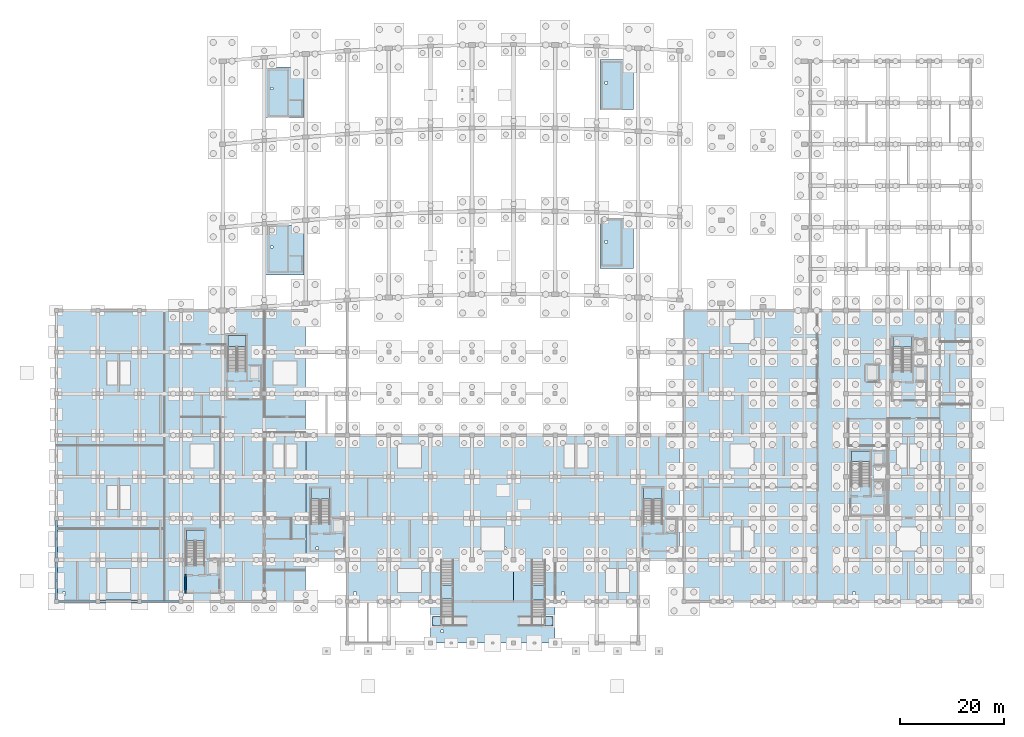
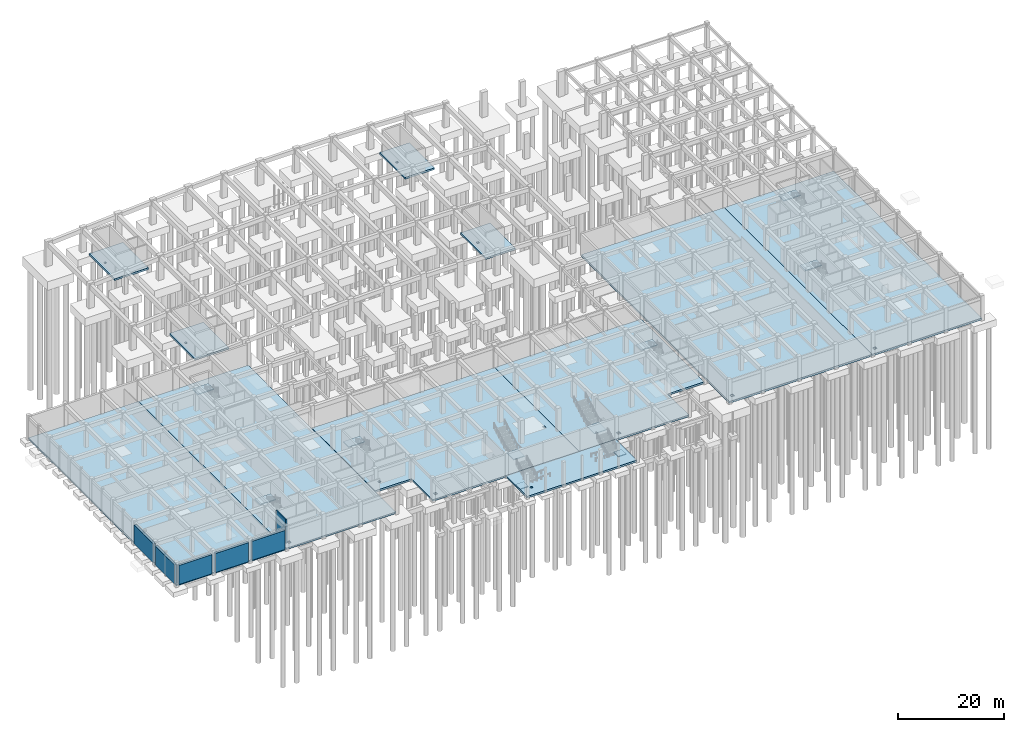
# One storey, part 24 of 45: 21 slabs, 6 walls, 10 elements without a shape of their own.
"""IFC4 building model written with IfcOpenShell, lengths in metres."""

from ifc_helpers import new_model, si_unit, direction, frame, frame_2d, origin, place, context, subcontext, project, spatial, polyline, rectangle, outline, extrude, material, layer, layer_set, type_object, element, aggregate, save


model = new_model("IFC4")

# Units and contexts
model_context = context("Model", 3, precision=1e-05, world=origin(), true_north=direction((0.0, 1.0)))
body_context = subcontext(model_context, "Body", "Model", "MODEL_VIEW")
ifc_project = project(units=[si_unit("LENGTHUNIT", "METRE"), si_unit("AREAUNIT", "SQUARE_METRE"), si_unit("VOLUMEUNIT", "CUBIC_METRE"), si_unit("PLANEANGLEUNIT", "RADIAN"), si_unit("MASSUNIT", "GRAM", prefix="KILO")], contexts=[model_context])

# Site, building, storey
site_placement = place(None, origin())
site = spatial("IfcSite", under=ifc_project, at=site_placement, CompositionType="ELEMENT")
building_placement = place(site_placement, origin())
building = spatial("IfcBuilding", under=site, at=building_placement, Name="Kenh Van Central Station", CompositionType="ELEMENT")
storey_placement = place(building_placement, frame((0.0, 0.0, -5.39990234375)))
storey = spatial("IfcBuildingStorey", under=building, at=storey_placement, Name="B1", CompositionType="ELEMENT", Elevation=-5.39990234375)

# Slabs
ifc_material_1 = material(Name="Concrete C40/50", Category="concrete")
ifc_layer_1 = layer(ifc_material_1, 0.360107421875, Name="Concrete C40/50")
ifc_layer_set_1 = layer_set([ifc_layer_1], Name="Concrete C40/50")
slab_type_1 = type_object("IfcSlabType", Name="SLB-BASE-360", PredefinedType="BASESLAB", material=ifc_layer_set_1)
slab_1_placement = place(storey_placement, frame((0.0, 0.0, -0.360107421875)))
element("IfcSlab", 1, at=slab_1_placement, inside=storey, type_object=slab_type_1, Name="B1 slab SLB-B1-W1", PredefinedType="BASESLAB", context=body_context, shape_type="SweptSolid", body=[
    extrude(outline(polyline([(0.0, 8.0), (24.0, 8.0), (24.0, 64.0), (0.0, 64.0), (0.0, 8.0)]), holes=[polyline([(1.199951171875, 9.199951171875), (1.199951171875, 9.800048828125), (1.800048828125, 9.800048828125), (1.800048828125, 9.199951171875), (1.199951171875, 9.199951171875)])]), origin(), (0.0, 0.0, 1.0), 0.360107421875),
])
slab_2_placement = place(storey_placement, frame((0.0, 0.0, -0.360107421875)))
element("IfcSlab", 2, at=slab_2_placement, inside=storey, type_object=slab_type_1, Name="B1 slab SLB-B1-W2", PredefinedType="BASESLAB", context=body_context, shape_type="SweptSolid", body=[
    extrude(outline(polyline([(24.0, 8.0), (47.96240234375, 8.0), (47.96240234375, 64.0), (24.0, 64.0), (24.0, 8.0)]), holes=[polyline([(25.800048828125, 9.199951171875), (25.199951171875, 9.199951171875), (25.199951171875, 9.800048828125), (25.800048828125, 9.800048828125), (25.800048828125, 9.199951171875)])]), origin(), (0.0, 0.0, 1.0), 0.360107421875),
])
ifc_layer_2 = layer(ifc_material_1, 0.39990234375, Name="Concrete C40/50")
ifc_layer_set_2 = layer_set([ifc_layer_2], Name="Concrete C40/50")
slab_type_2 = type_object("IfcSlabType", Name="SLB-BASE-400", PredefinedType="BASESLAB", material=ifc_layer_set_2)
slab_3_placement = place(storey_placement, frame((0.0, 0.0, -0.400146484375)))
element("IfcSlab", 3, at=slab_3_placement, inside=storey, type_object=slab_type_2, Name="B1 slab SLB-B1-C1", PredefinedType="BASESLAB", context=body_context, shape_type="SweptSolid", body=[
    extrude(outline(polyline([(48.03759765625, 16.0), (56.0, 16.0), (56.0, 8.0), (88.0, 8.0), (88.0, 40.0), (48.03759765625, 40.0), (48.03759765625, 16.0)]), holes=[polyline([(86.0, 18.0), (86.0, 18.5), (86.5, 18.5), (86.5, 18.0), (86.0, 18.0)]), polyline([(57.199951171875, 9.199951171875), (57.199951171875, 9.800048828125), (57.800048828125, 9.800048828125), (57.800048828125, 9.199951171875), (57.199951171875, 9.199951171875)]), polyline([(50.5, 18.0), (50.0, 18.0), (50.0, 18.5), (50.5, 18.5), (50.5, 18.0)])]), origin(), (0.0, 0.0, 1.0), 0.400146484375),
])
slab_4_placement = place(storey_placement, frame((0.0, 0.0, -0.400146484375)))
element("IfcSlab", 4, at=slab_4_placement, inside=storey, type_object=slab_type_2, Name="B1 slab SLB-B1-C2", PredefinedType="BASESLAB", context=body_context, shape_type="SweptSolid", body=[
    extrude(outline(polyline([(88.0, 8.0), (112.0, 8.0), (112.0, 16.0), (119.96240234375, 16.0), (119.96240234375, 40.0), (88.0, 40.0), (88.0, 8.0)]), holes=[polyline([(97.199951171875, 9.199951171875), (97.199951171875, 9.800048828125), (97.800048828125, 9.800048828125), (97.800048828125, 9.199951171875), (97.199951171875, 9.199951171875)])]), origin(), (0.0, 0.0, 1.0), 0.400146484375),
])
slab_5_placement = place(storey_placement, frame((0.0, 0.0, -0.400146484375)))
element("IfcSlab", 5, at=slab_5_placement, inside=storey, type_object=slab_type_2, Name="B1 slab SLB-B1-PLZ", PredefinedType="BASESLAB", context=body_context, shape_type="SweptSolid", body=[
    extrude(outline(polyline([(72.0, 0.0), (96.0, 0.0), (96.0, 8.0), (72.0, 8.0), (72.0, 0.0)]), holes=[polyline([(74.0, 2.0), (74.0, 2.5), (74.5, 2.5), (74.5, 2.0), (74.0, 2.0)])]), origin(), (0.0, 0.0, 1.0), 0.400146484375),
])
slab_6_placement = place(storey_placement, frame((0.0, 0.0, -0.400146484375)))
element("IfcSlab", 6, at=slab_6_placement, inside=storey, type_object=slab_type_2, Name="B1 slab SLB-B1-PC5", PredefinedType="BASESLAB", context=body_context, shape_type="SweptSolid", body=[
    extrude(outline(polyline([(40.300048828125, 70.800048828125), (47.699951171875, 70.800048828125), (47.699951171875, 80.5), (40.300048828125, 80.5), (40.300048828125, 70.800048828125)]), holes=[polyline([(41.64990234375, 76.0), (41.199951171875, 76.0), (41.199951171875, 76.449951171875), (41.64990234375, 76.449951171875), (41.64990234375, 76.0)])]), origin(), (0.0, 0.0, 1.0), 0.400146484375),
])
slab_7_placement = place(storey_placement, frame((0.0, 0.0, -0.400146484375)))
element("IfcSlab", 7, at=slab_7_placement, inside=storey, type_object=slab_type_2, Name="B1 slab SLB-B1-PC6", PredefinedType="BASESLAB", context=body_context, shape_type="SweptSolid", body=[
    extrude(outline(polyline([(104.60009765625, 72.10009765625), (111.10009765625, 72.10009765625), (111.10009765625, 81.699951171875), (104.60009765625, 81.699951171875), (104.60009765625, 72.10009765625)]), holes=[polyline([(106.050048828125, 77.0), (105.60009765625, 77.0), (105.60009765625, 77.449951171875), (106.050048828125, 77.449951171875), (106.050048828125, 77.0)])]), origin(), (0.0, 0.0, 1.0), 0.400146484375),
])
slab_8_placement = place(storey_placement, frame((0.0, 0.0, -0.400146484375)))
element("IfcSlab", 8, at=slab_8_placement, inside=storey, type_object=slab_type_2, Name="B1 slab SLB-B1-PC7", PredefinedType="BASESLAB", context=body_context, shape_type="SweptSolid", body=[
    extrude(outline(polyline([(40.300048828125, 101.199951171875), (47.699951171875, 101.199951171875), (47.699951171875, 110.89990234375), (40.300048828125, 110.89990234375), (40.300048828125, 101.199951171875)]), holes=[polyline([(41.64990234375, 106.5), (41.199951171875, 106.5), (41.199951171875, 106.949951171875), (41.64990234375, 106.949951171875), (41.64990234375, 106.5)])]), origin(), (0.0, 0.0, 1.0), 0.400146484375),
])
slab_9_placement = place(storey_placement, frame((0.0, 0.0, -0.400146484375)))
element("IfcSlab", 9, at=slab_9_placement, inside=storey, type_object=slab_type_2, Name="B1 slab SLB-B1-PC8", PredefinedType="BASESLAB", context=body_context, shape_type="SweptSolid", body=[
    extrude(outline(polyline([(104.60009765625, 102.699951171875), (111.10009765625, 102.699951171875), (111.10009765625, 112.300048828125), (104.60009765625, 112.300048828125), (104.60009765625, 102.699951171875)]), holes=[polyline([(106.050048828125, 107.60009765625), (105.60009765625, 107.60009765625), (105.60009765625, 108.050048828125), (106.050048828125, 108.050048828125), (106.050048828125, 107.60009765625)])]), origin(), (0.0, 0.0, 1.0), 0.400146484375),
])
ifc_layer_3 = layer(ifc_material_1, 0.449951171875, Name="Concrete C40/50")
ifc_layer_set_3 = layer_set([ifc_layer_3], Name="Concrete C40/50")
slab_type_3 = type_object("IfcSlabType", Name="SLB-BASE-450", PredefinedType="BASESLAB", material=ifc_layer_set_3)
slab_10_placement = place(storey_placement, frame((0.0, 0.0, -0.4501953125)))
element("IfcSlab", 10, at=slab_10_placement, inside=storey, type_object=slab_type_3, Name="B1 slab SLB-B1-E1", PredefinedType="BASESLAB", context=body_context, shape_type="SweptSolid", body=[
    extrude(outline(polyline([(120.800048828125, 8.0), (152.0, 8.0), (152.0, 64.0), (120.800048828125, 64.0), (120.800048828125, 8.0)]), holes=[polyline([(122.0, 9.199951171875), (122.0, 9.800048828125), (122.60009765625, 9.800048828125), (122.60009765625, 9.199951171875), (122.0, 9.199951171875)])]), origin(), (0.0, 0.0, 1.0), 0.4501953125),
])
slab_11_placement = place(storey_placement, frame((0.0, 0.0, -0.4501953125)))
element("IfcSlab", 11, at=slab_11_placement, inside=storey, type_object=slab_type_3, Name="B1 slab SLB-B1-E2", PredefinedType="BASESLAB", context=body_context, shape_type="SweptSolid", body=[
    extrude(outline(polyline([(152.0, 8.0), (176.0, 8.0), (176.0, 64.0), (152.0, 64.0), (152.0, 8.0)]), holes=[polyline([(153.800048828125, 9.199951171875), (153.199951171875, 9.199951171875), (153.199951171875, 9.800048828125), (153.800048828125, 9.800048828125), (153.800048828125, 9.199951171875)])]), origin(), (0.0, 0.0, 1.0), 0.4501953125),
])

# Ramp, slab
ramp_type = type_object("IfcRampType", Name="RMP-ACC-1800", PredefinedType="STRAIGHT_RUN_RAMP", material=ifc_material_1)
ramp_1_placement = place(storey_placement, origin())
ramp_1 = element("IfcRamp", 12, at=ramp_1_placement, inside=storey, type_object=ramp_type, Name="Sunken Metro Plaza West Garden Ramp", PredefinedType="STRAIGHT_RUN_RAMP")
ifc_layer_4 = layer(ifc_material_1, 0.175048828125, Name="Concrete C40/50")
ifc_layer_set_4 = layer_set([ifc_layer_4], Name="Concrete C40/50")
slab_type_4 = type_object("IfcSlabType", Name="SLB-LAND-175", PredefinedType="LANDING", material=ifc_layer_set_4)
slab_12_placement = place(storey_placement, frame((0.0, 0.0, -0.5751953125)))
slab_12 = element("IfcSlab", 13, at=slab_12_placement, type_object=slab_type_4, Name="Sunken Metro Plaza West Garden Ramp bottom landing", PredefinedType="LANDING", context=body_context, shape_type="SweptSolid", body=[
    extrude(outline(polyline([(72.39990234375, 3.300048828125), (74.199951171875, 3.300048828125), (74.199951171875, 5.10009765625), (72.39990234375, 5.10009765625), (72.39990234375, 3.300048828125)])), origin(), (0.0, 0.0, 1.0), 0.175048828125),
])
aggregate(ramp_1, [slab_12])

ramp_2_placement = place(storey_placement, origin())
ramp_2 = element("IfcRamp", 14, at=ramp_2_placement, inside=storey, type_object=ramp_type, Name="Sunken Metro Plaza East Garden Ramp", PredefinedType="STRAIGHT_RUN_RAMP")
slab_13_placement = place(storey_placement, frame((0.0, 0.0, -0.5751953125)))
slab_13 = element("IfcSlab", 15, at=slab_13_placement, type_object=slab_type_4, Name="Sunken Metro Plaza East Garden Ramp bottom landing", PredefinedType="LANDING", context=body_context, shape_type="SweptSolid", body=[
    extrude(outline(polyline([(95.60009765625, 5.10009765625), (93.800048828125, 5.10009765625), (93.800048828125, 3.300048828125), (95.60009765625, 3.300048828125), (95.60009765625, 5.10009765625)])), origin(), (0.0, 0.0, 1.0), 0.175048828125),
])
aggregate(ramp_2, [slab_13])

# Stair, slab
stair_type_1 = type_object("IfcStairType", Name="STR-PUB-2400", PredefinedType="STRAIGHT_RUN_STAIR", material=ifc_material_1)
stair_1_placement = place(storey_placement, origin())
stair_1 = element("IfcStair", 16, at=stair_1_placement, inside=storey, type_object=stair_type_1, Name="Metro Forecourt West Amphitheatre Stair", PredefinedType="STRAIGHT_RUN_STAIR")
ifc_layer_5 = layer(ifc_material_1, 0.179931640625, Name="Concrete C40/50")
ifc_layer_set_5 = layer_set([ifc_layer_5], Name="Concrete C40/50")
slab_type_5 = type_object("IfcSlabType", Name="SLB-LAND-180", PredefinedType="LANDING", material=ifc_layer_set_5)
slab_14_placement = place(storey_placement, frame((0.0, 0.0, 2.52001953125)))
slab_14 = element("IfcSlab", 17, at=slab_14_placement, type_object=slab_type_5, Name="ST-P1 landing 1", PredefinedType="LANDING", context=body_context, shape_type="SweptSolid", body=[
    extrude(outline(polyline([(76.39990234375, 8.5), (76.39990234375, 11.199951171875), (74.0, 11.199951171875), (74.0, 8.5), (76.39990234375, 8.5)])), origin(), (0.0, 0.0, 1.0), 0.179931640625),
])
aggregate(stair_1, [slab_14])

stair_type_2 = type_object("IfcStairType", Name="STR-PUB-2600", PredefinedType="STRAIGHT_RUN_STAIR", material=ifc_material_1)
stair_2_placement = place(storey_placement, origin())
stair_2 = element("IfcStair", 18, at=stair_2_placement, inside=storey, type_object=stair_type_2, Name="Metro Forecourt East Amphitheatre Stair", PredefinedType="STRAIGHT_RUN_STAIR")
slab_15_placement = place(storey_placement, frame((0.0, 0.0, 2.52001953125)))
slab_15 = element("IfcSlab", 19, at=slab_15_placement, type_object=slab_type_5, Name="ST-P2 landing 1", PredefinedType="LANDING", context=body_context, shape_type="SweptSolid", body=[
    extrude(outline(polyline([(94.10009765625, 8.300048828125), (94.10009765625, 11.199951171875), (91.5, 11.199951171875), (91.5, 8.300048828125), (94.10009765625, 8.300048828125)])), origin(), (0.0, 0.0, 1.0), 0.179931640625),
])
aggregate(stair_2, [slab_15])

ifc_material_2 = material(Name="Concrete C35/45", Category="concrete")
stair_type_3 = type_object("IfcStairType", Name="STR-DLG-1650", PredefinedType="HALF_TURN_STAIR", material=ifc_material_2)
stair_3_placement = place(storey_placement, origin())
stair_3 = element("IfcStair", 20, at=stair_3_placement, inside=storey, type_object=stair_type_3, Name="B1 West Retail South Exit Core", PredefinedType="HALF_TURN_STAIR")
ifc_layer_6 = layer(ifc_material_2, 0.199951171875, Name="Concrete C35/45")
ifc_layer_set_6 = layer_set([ifc_layer_6], Name="Concrete C35/45")
slab_type_6 = type_object("IfcSlabType", Name="SLB-LAND-200", PredefinedType="LANDING", material=ifc_layer_set_6)
slab_16_placement = place(storey_placement, frame((0.0, 0.0, 2.5)))
slab_16 = element("IfcSlab", 21, at=slab_16_placement, type_object=slab_type_6, Name="ST-01 landing 1", PredefinedType="LANDING", context=body_context, shape_type="SweptSolid", body=[
    extrude(outline(polyline([(28.5, 19.64990234375), (28.5, 21.800048828125), (25.0, 21.800048828125), (25.0, 19.64990234375), (28.5, 19.64990234375)])), origin(), (0.0, 0.0, 1.0), 0.199951171875),
])
aggregate(stair_3, [slab_16])

stair_4_placement = place(storey_placement, origin())
stair_4 = element("IfcStair", 22, at=stair_4_placement, inside=storey, type_object=stair_type_3, Name="B1 West Retail North Exit Core", PredefinedType="HALF_TURN_STAIR")
slab_17_placement = place(storey_placement, frame((0.0, 0.0, 2.5)))
slab_17 = element("IfcSlab", 23, at=slab_17_placement, type_object=slab_type_6, Name="ST-02 landing 1", PredefinedType="LANDING", context=body_context, shape_type="SweptSolid", body=[
    extrude(outline(polyline([(36.5, 57.050048828125), (36.5, 59.199951171875), (33.0, 59.199951171875), (33.0, 57.050048828125), (36.5, 57.050048828125)])), origin(), (0.0, 0.0, 1.0), 0.199951171875),
])
aggregate(stair_4, [slab_17])

stair_type_4 = type_object("IfcStairType", Name="STR-DLG-1700", PredefinedType="HALF_TURN_STAIR", material=ifc_material_2)
stair_5_placement = place(storey_placement, origin())
stair_5 = element("IfcStair", 24, at=stair_5_placement, inside=storey, type_object=stair_type_4, Name="B1 Ticket Hall West Exit Core", PredefinedType="HALF_TURN_STAIR")
slab_18_placement = place(storey_placement, frame((0.0, 0.0, 2.5)))
slab_18 = element("IfcSlab", 25, at=slab_18_placement, type_object=slab_type_6, Name="ST-03 landing 1", PredefinedType="LANDING", context=body_context, shape_type="SweptSolid", body=[
    extrude(outline(polyline([(52.60009765625, 27.699951171875), (52.60009765625, 29.800048828125), (49.0, 29.800048828125), (49.0, 27.699951171875), (52.60009765625, 27.699951171875)])), origin(), (0.0, 0.0, 1.0), 0.199951171875),
])
aggregate(stair_5, [slab_18])

stair_6_placement = place(storey_placement, origin())
stair_6 = element("IfcStair", 26, at=stair_6_placement, inside=storey, type_object=stair_type_4, Name="B1 Ticket Hall East Exit Core", PredefinedType="HALF_TURN_STAIR")
slab_19_placement = place(storey_placement, frame((0.0, 0.0, 2.5)))
slab_19 = element("IfcSlab", 27, at=slab_19_placement, type_object=slab_type_6, Name="ST-04 landing 1", PredefinedType="LANDING", context=body_context, shape_type="SweptSolid", body=[
    extrude(outline(polyline([(116.60009765625, 27.699951171875), (116.60009765625, 29.800048828125), (113.0, 29.800048828125), (113.0, 27.699951171875), (116.60009765625, 27.699951171875)])), origin(), (0.0, 0.0, 1.0), 0.199951171875),
])
aggregate(stair_6, [slab_19])

stair_7_placement = place(storey_placement, origin())
stair_7 = element("IfcStair", 28, at=stair_7_placement, inside=storey, type_object=stair_type_4, Name="B1 Operations South Firefighting Core", PredefinedType="HALF_TURN_STAIR")
slab_20_placement = place(storey_placement, frame((0.0, 0.0, 2.5)))
slab_20 = element("IfcSlab", 29, at=slab_20_placement, type_object=slab_type_6, Name="ST-09 landing 1", PredefinedType="LANDING", context=body_context, shape_type="SweptSolid", body=[
    extrude(outline(polyline([(156.60009765625, 34.89990234375), (156.60009765625, 37.0), (153.0, 37.0), (153.0, 34.89990234375), (156.60009765625, 34.89990234375)])), origin(), (0.0, 0.0, 1.0), 0.199951171875),
])
aggregate(stair_7, [slab_20])

stair_type_5 = type_object("IfcStairType", Name="STR-DLG-1750", PredefinedType="HALF_TURN_STAIR", material=ifc_material_2)
stair_8_placement = place(storey_placement, origin())
stair_8 = element("IfcStair", 30, at=stair_8_placement, inside=storey, type_object=stair_type_5, Name="B1 Operations North Firefighting and Goods Core", PredefinedType="HALF_TURN_STAIR")
slab_21_placement = place(storey_placement, frame((0.0, 0.0, 2.5)))
slab_21 = element("IfcSlab", 31, at=slab_21_placement, type_object=slab_type_6, Name="ST-10 landing 1", PredefinedType="LANDING", context=body_context, shape_type="SweptSolid", body=[
    extrude(outline(polyline([(164.699951171875, 56.949951171875), (164.699951171875, 59.0), (161.0, 59.0), (161.0, 56.949951171875), (164.699951171875, 56.949951171875)])), origin(), (0.0, 0.0, 1.0), 0.199951171875),
])
aggregate(stair_8, [slab_21])

# Walls
ifc_layer_7 = layer(ifc_material_1, 0.260009765625, Name="Concrete C40/50")
ifc_layer_set_7 = layer_set([ifc_layer_7], Name="Concrete C40/50")
wall_type_1 = type_object("IfcWallType", Name="WL-FIRE-260", PredefinedType="SHEAR", material=ifc_layer_set_7)
wall_1_placement = place(storey_placement, frame((24.8701171875, 9.5400390625, 0.0), z_axis=(0.0, 0.0, 1.0), x_axis=(0.0, 1.0, 0.0)))
element("IfcWall", 32, at=wall_1_placement, inside=storey, type_object=wall_type_1, Name="B1 CORE-01 lobby wall W", PredefinedType="SHEAR", context=body_context, shape_type="SweptSolid", body=[
    extrude(rectangle(XDim=3.659912109375, YDim=0.260009765625, at=frame_2d((1.830078125, 0.0))), origin(), (0.0, 0.0, 1.0), 5.39990234375),
])
ifc_layer_8 = layer(ifc_material_1, 0.419921875, Name="Concrete C40/50")
ifc_layer_set_8 = layer_set([ifc_layer_8], Name="Concrete C40/50")
wall_type_2 = type_object("IfcWallType", Name="WL-RET-420", PredefinedType="USERDEFINED", material=ifc_layer_set_8)
wall_2_placement = place(storey_placement, frame((16.375, 8.0, 0.0), z_axis=(0.0, 0.0, 1.0), x_axis=(1.0, 0.0, 0.0)))
element("IfcWall", 33, at=wall_2_placement, inside=storey, type_object=wall_type_2, Name="B1 retaining wall 003", ObjectType="RETAININGWALL", PredefinedType="USERDEFINED", context=body_context, shape_type="SweptSolid", body=[
    extrude(rectangle(XDim=7.22509765625, YDim=0.419921875, at=frame_2d((3.612548828125, 0.0))), origin(), (0.0, 0.0, 1.0), 4.39990234375),
])
ifc_layer_9 = layer(ifc_material_1, 0.449951171875, Name="Concrete C40/50")
ifc_layer_set_9 = layer_set([ifc_layer_9], Name="Concrete C40/50")
wall_type_3 = type_object("IfcWallType", Name="WL-RET-450", PredefinedType="USERDEFINED", material=ifc_layer_set_9)
for number, where, z_axis, x_axis, name in (
    (34, (0.375, 8.0, 0.0), (0.0, 0.0, 1.0), (1.0, 0.0, 0.0), "B1 retaining wall 001"),
    (35, (0.0, 8.375, 0.0), (0.0, 0.0, 1.0), (0.0, 1.0, 0.0), "B1 retaining wall 007"),
):
    element("IfcWall", number, at=place(storey_placement, frame(where, z_axis=z_axis, x_axis=x_axis)), inside=storey, type_object=wall_type_3, Name=name, ObjectType="RETAININGWALL", PredefinedType="USERDEFINED", context=body_context, shape_type="SweptSolid", body=[
        extrude(rectangle(XDim=7.25, YDim=0.449951171875, at=frame_2d((3.625, 0.0))), origin(), (0.0, 0.0, 1.0), 4.39990234375),
    ])
ifc_layer_10 = layer(ifc_material_1, 0.5, Name="Concrete C40/50")
ifc_layer_set_10 = layer_set([ifc_layer_10], Name="Concrete C40/50")
wall_type_4 = type_object("IfcWallType", Name="WL-RET-500", PredefinedType="USERDEFINED", material=ifc_layer_set_10)
for number, where, z_axis, x_axis, name in (
    (36, (8.375, 8.0, 0.0), (0.0, 0.0, 1.0), (1.0, 0.0, 0.0), "B1 retaining wall 002"),
    (37, (0.0, 16.375, 0.0), (0.0, 0.0, 1.0), (0.0, 1.0, 0.0), "B1 retaining wall 008"),
):
    element("IfcWall", number, at=place(storey_placement, frame(where, z_axis=z_axis, x_axis=x_axis)), inside=storey, type_object=wall_type_4, Name=name, ObjectType="RETAININGWALL", PredefinedType="USERDEFINED", context=body_context, shape_type="SweptSolid", body=[
        extrude(rectangle(XDim=7.25, YDim=0.5, at=frame_2d((3.625, 0.0))), origin(), (0.0, 0.0, 1.0), 4.39990234375),
    ])

save(model, "model.ifc")
